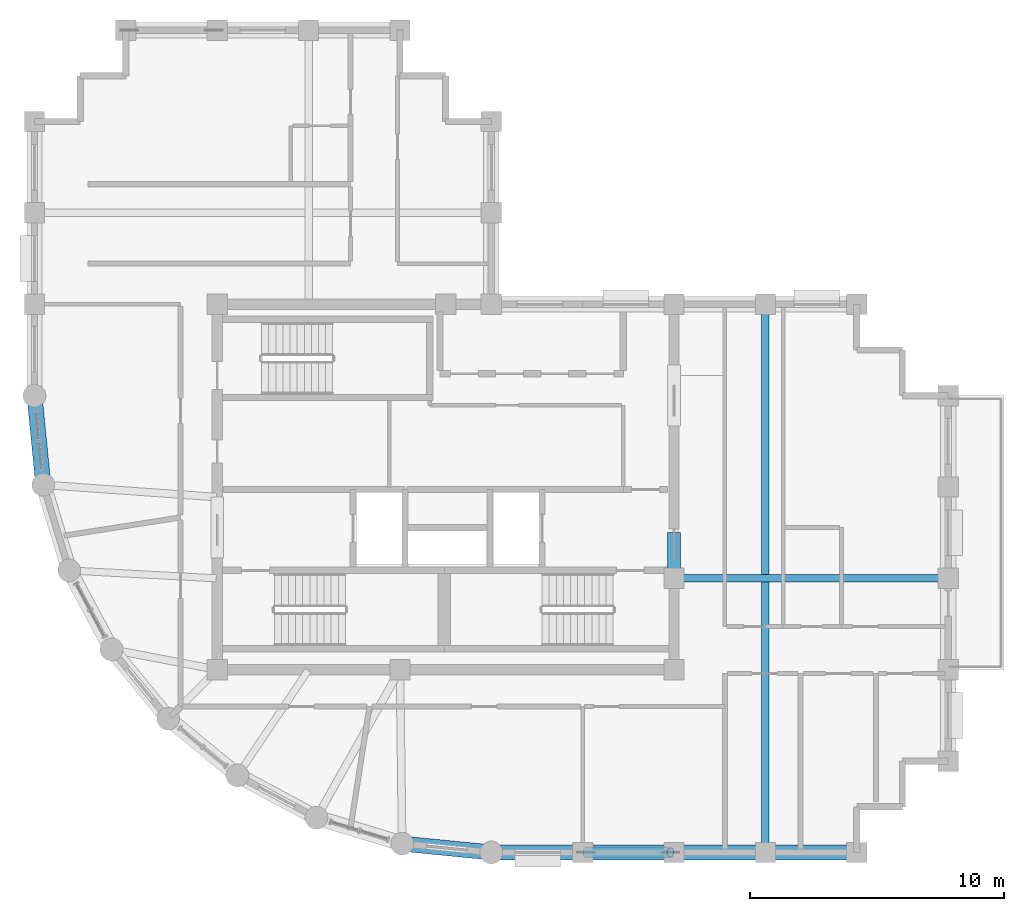
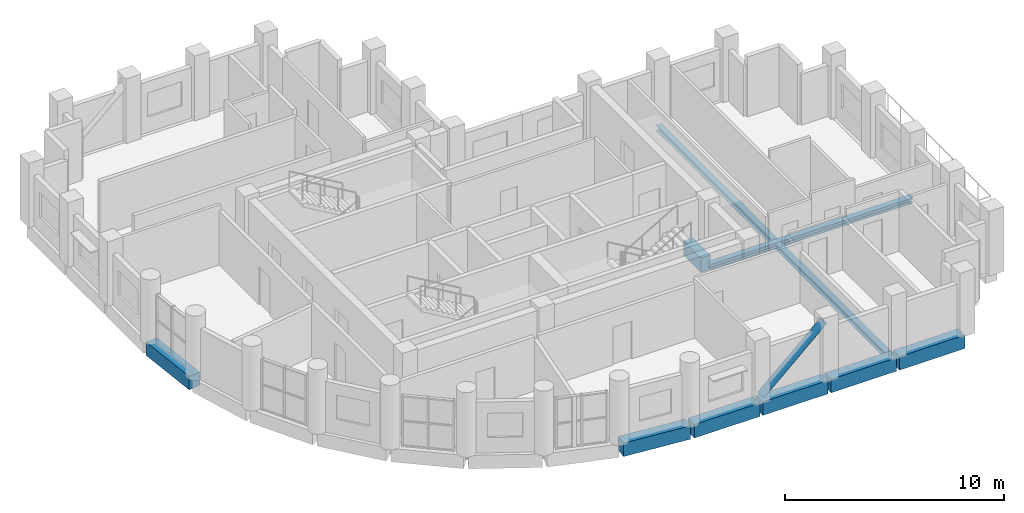
# One storey, part 4 of 12: 9 beams, 1 member.
"""IFC4 building model written with IfcOpenShell, lengths in metres."""

from ifc_helpers import new_model, si_unit, direction, frame, origin, origin_2d, place, context, subcontext, project, spatial, rectangle, hollow_circle, i_section, extrude, material, material_profile, profile_set, type_object, element, save


model = new_model("IFC4")

# Units and contexts
model_context = context("Model", 3, precision=1e-05, world=origin(), true_north=direction((0.0, 1.0)))
body_context = subcontext(model_context, "Body", "Model", "MODEL_VIEW")
ifc_project = project(units=[si_unit("LENGTHUNIT", "METRE"), si_unit("AREAUNIT", "SQUARE_METRE"), si_unit("VOLUMEUNIT", "CUBIC_METRE"), si_unit("PLANEANGLEUNIT", "RADIAN"), si_unit("MASSUNIT", "GRAM", prefix="KILO")], contexts=[model_context])

# Site, building, storey
site_placement = place(None, origin())
site = spatial("IfcSite", under=ifc_project, at=site_placement, CompositionType="ELEMENT")
building_placement = place(site_placement, origin())
building = spatial("IfcBuilding", under=site, at=building_placement, Name="Solnavia Interchange Tower", CompositionType="ELEMENT")
storey_placement = place(building_placement, frame((0.0, 0.0, 228.199951171875)))
storey = spatial("IfcBuildingStorey", under=building, at=storey_placement, Name="L57", CompositionType="ELEMENT", Elevation=228.199951171875)

# Beams
ifc_material_1 = material(Name="Concrete C50/60", Category="concrete")
ifc_material_profile_1 = material_profile(ifc_material_1, rectangle(XDim=0.5, YDim=0.800048828125, at=origin_2d()), Name="RC 500x800")
ifc_profile_set_1 = profile_set([ifc_material_profile_1], Name="Concrete C50/60")
beam_type_1 = type_object("IfcBeamType", Name="Beam-Coupling-RC500x800", PredefinedType="LINTEL", material=ifc_profile_set_1)
beam_1_placement = place(storey_placement, frame((32.39990234375, 14.60009765625, -0.39990234375), z_axis=(0.0, 1.0, 0.0), x_axis=(-1.0, 0.0, 0.0)))
element("IfcBeam", 1, at=beam_1_placement, inside=storey, type_object=beam_type_1, Name="CPB-L57-E1 Core coupling lintel beam", PredefinedType="LINTEL", context=body_context, shape_type="SweptSolid", body=[
    extrude(rectangle(XDim=0.5, YDim=0.800048828125, at=origin_2d()), origin(), (0.0, 0.0, 1.0), 1.599853515625),
])
ifc_material_2 = material(Name="Steel S460", Category="steel")
ifc_material_profile_2 = material_profile(ifc_material_2, i_section(OverallWidth=0.300048828125, OverallDepth=0.300048828125, WebThickness=0.010986328125, FlangeThickness=0.01904296875, FilletRadius=0.027099609375, at=origin_2d()), Name="HEB 300")
ifc_profile_set_2 = profile_set([ifc_material_profile_2], Name="Steel S460")
beam_type_2 = type_object("IfcBeamType", Name="Beam-Girder-HEB300", PredefinedType="BEAM", material=ifc_profile_set_2)
beam_2_placement = place(storey_placement, frame((32.47998046875, 14.39990234375, -0.39990234375), z_axis=(1.0, 0.0, 0.0), x_axis=(0.0, 1.0, 0.0)))
element("IfcBeam", 2, at=beam_2_placement, inside=storey, type_object=beam_type_2, Name="GRD-L57-ES01 East wing spine girder", PredefinedType="BEAM", context=body_context, shape_type="SweptSolid", body=[
    extrude(i_section(OverallWidth=0.300048828125, OverallDepth=0.300048828125, WebThickness=0.010986328125, FlangeThickness=0.01904296875, FilletRadius=0.027099609375, at=origin_2d()), origin(), (0.0, 0.0, 1.0), 10.64013671875),
])
ifc_material_3 = material(Name="Steel S355", Category="steel")
ifc_material_profile_3 = material_profile(ifc_material_3, i_section(OverallWidth=0.300048828125, OverallDepth=0.31005859375, WebThickness=0.009033203125, FlangeThickness=0.015380859375, FilletRadius=0.027099609375, at=origin_2d()), Name="HEA 320")
ifc_profile_set_3 = profile_set([ifc_material_profile_3], Name="Steel S355")
beam_type_3 = type_object("IfcBeamType", Name="Beam-Primary-HEA320", PredefinedType="BEAM", material=ifc_profile_set_3)
beam_3_placement = place(storey_placement, frame((36.0, 3.679931640625, -0.405029296875), z_axis=(0.0, 1.0, 0.0), x_axis=(-1.0, 0.0, 0.0)))
element("IfcBeam", 3, at=beam_3_placement, inside=storey, type_object=beam_type_3, Name="GRD-L57-EW02 East wing primary floor girder", PredefinedType="BEAM", context=body_context, shape_type="SweptSolid", body=[
    extrude(i_section(OverallWidth=0.300048828125, OverallDepth=0.31005859375, WebThickness=0.009033203125, FlangeThickness=0.015380859375, FilletRadius=0.027099609375, at=origin_2d()), origin(), (0.0, 0.0, 1.0), 21.440185546875),
])
ifc_material_profile_4 = material_profile(ifc_material_1, rectangle(XDim=0.60009765625, YDim=0.75, at=origin_2d()), Name="RC 600x750")
ifc_profile_set_4 = profile_set([ifc_material_profile_4], Name="Concrete C50/60")
beam_type_4 = type_object("IfcBeamType", Name="Beam-Spandrel-RC600x750", PredefinedType="SPANDREL", material=ifc_profile_set_4)
beam_4_placement = place(storey_placement, frame((7.207763671875, 21.5205078125, -0.375), z_axis=(0.098040038117, -0.995182471171, 0.0), x_axis=(0.995182471171, 0.098040038117, 0.0)))
element("IfcBeam", 4, at=beam_4_placement, inside=storey, type_object=beam_type_4, Name="SPB-L57-01 Framed-tube perimeter spandrel beam", PredefinedType="SPANDREL", context=body_context, shape_type="SweptSolid", body=[
    extrude(rectangle(XDim=0.60009765625, YDim=0.75, at=origin_2d()), origin(), (0.0, 0.0, 1.0), 3.369140625),
])
beam_5_placement = place(storey_placement, frame((21.767578125, 3.938232421875, -0.375), z_axis=(0.995181774609, -0.098047108501, 0.0), x_axis=(0.098047108501, 0.995181774609, 0.0)))
element("IfcBeam", 5, at=beam_5_placement, inside=storey, type_object=beam_type_4, Name="SPB-L57-08 Framed-tube perimeter spandrel beam", PredefinedType="SPANDREL", context=body_context, shape_type="SweptSolid", body=[
    extrude(rectangle(XDim=0.60009765625, YDim=0.75, at=origin_2d()), origin(), (0.0, 0.0, 1.0), 3.368896484375),
])
beam_6_placement = place(storey_placement, frame((25.280029296875, 3.60009765625, -0.375), z_axis=(1.0, 0.0, 0.0), x_axis=(0.0, 1.0, 0.0)))
element("IfcBeam", 6, at=beam_6_placement, inside=storey, type_object=beam_type_4, Name="SPB-L57-09 Framed-tube perimeter spandrel beam", PredefinedType="SPANDREL", context=body_context, shape_type="SweptSolid", body=[
    extrude(rectangle(XDim=0.60009765625, YDim=0.75, at=origin_2d()), origin(), (0.0, 0.0, 1.0), 3.43994140625),
])
beam_7_placement = place(storey_placement, frame((28.8798828125, 3.60009765625, -0.375), z_axis=(1.0, 0.0, 0.0), x_axis=(0.0, 1.0, 0.0)))
element("IfcBeam", 7, at=beam_7_placement, inside=storey, type_object=beam_type_4, Name="SPB-L57-10 Framed-tube perimeter spandrel beam", PredefinedType="SPANDREL", context=body_context, shape_type="SweptSolid", body=[
    extrude(rectangle(XDim=0.60009765625, YDim=0.75, at=origin_2d()), origin(), (0.0, 0.0, 1.0), 3.440185546875),
])
for number, where, z_axis, x_axis, name in (
    (8, (32.47998046875, 3.60009765625, -0.375), (1.0, 0.0, 0.0), (0.0, 1.0, 0.0), "SPB-L57-11 Framed-tube perimeter spandrel beam"),
    (9, (36.080078125, 3.60009765625, -0.375), (1.0, 0.0, 0.0), (0.0, 1.0, 0.0), "SPB-L57-12 Framed-tube perimeter spandrel beam"),
):
    element("IfcBeam", number, at=place(storey_placement, frame(where, z_axis=z_axis, x_axis=x_axis)), inside=storey, type_object=beam_type_4, Name=name, PredefinedType="SPANDREL", context=body_context, shape_type="SweptSolid", body=[
        extrude(rectangle(XDim=0.60009765625, YDim=0.75, at=origin_2d()), origin(), (0.0, 0.0, 1.0), 3.43994140625),
    ])

# Member
ifc_material_profile_5 = material_profile(ifc_material_2, hollow_circle(Radius=0.203125, WallThickness=0.02001953125, at=origin_2d()), Name="CHS 406.4x20")
ifc_profile_set_5 = profile_set([ifc_material_profile_5], Name="Steel S460")
member_type = type_object("IfcMemberType", Name="Brace-Perim-CHS406", PredefinedType="BRACE", material=ifc_profile_set_5)
member_placement = place(storey_placement, frame((28.93994140625, 3.60009765625, 0.179931640625), z_axis=(0.743052292095, 0.0, 0.669233360804), x_axis=(0.0, 1.0, 0.0)))
element("IfcMember", 10, at=member_placement, inside=storey, type_object=member_type, Name="BRC-L57-01 Perimeter tube diagonal brace", PredefinedType="BRACE", context=body_context, shape_type="SweptSolid", body=[
    extrude(hollow_circle(Radius=0.203125, WallThickness=0.02001953125, at=origin_2d()), origin(), (0.0, 0.0, 1.0), 4.46826171875),
])

save(model, "model.ifc")
